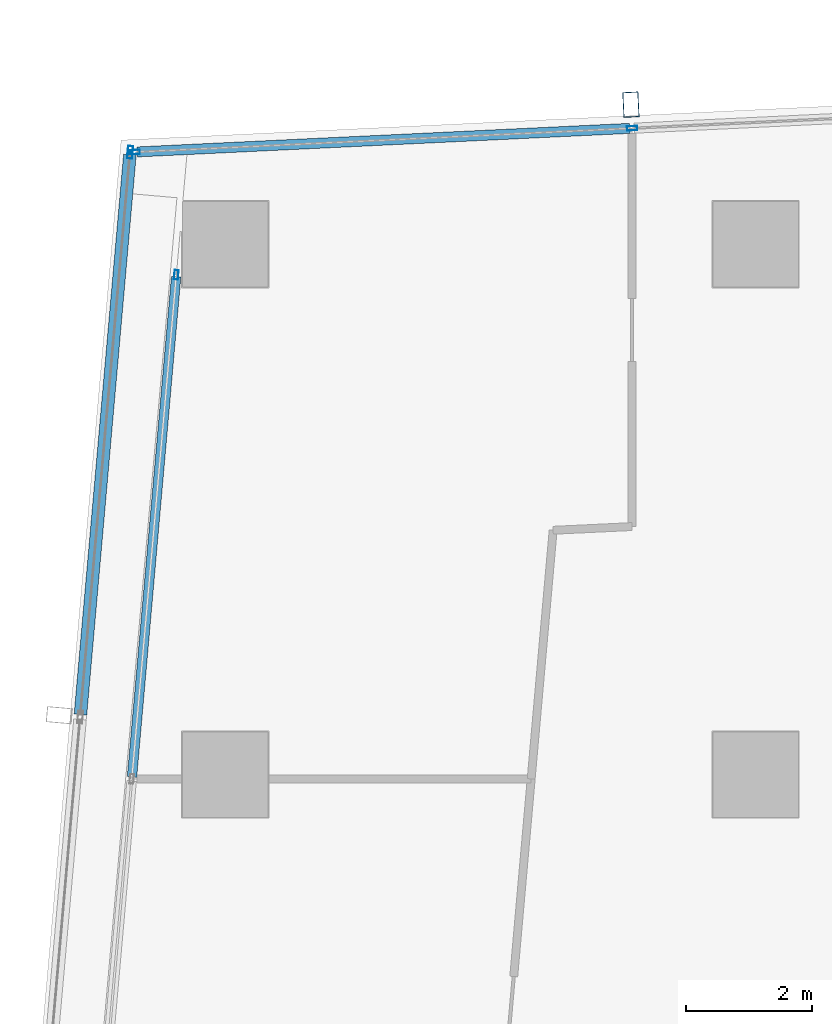
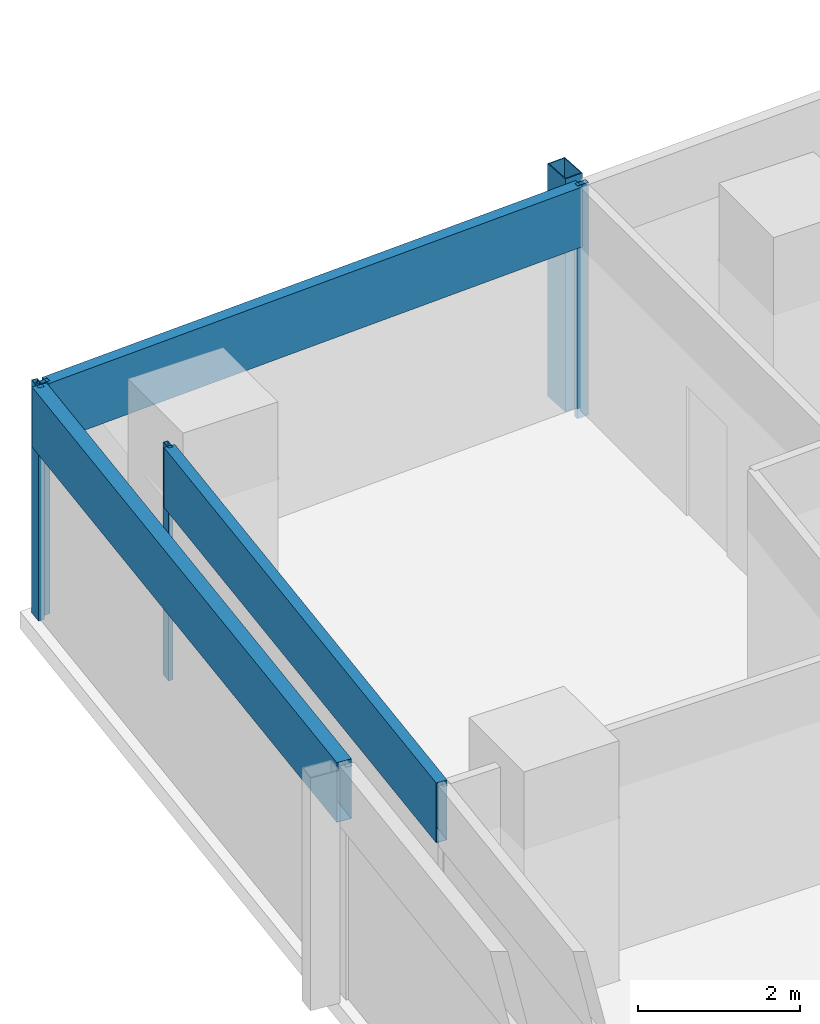
# One storey, part 17 of 39: 8 members, 3 elements without a shape of their own.
"""IFC4 building model written with IfcOpenShell, lengths in metres."""

from ifc_helpers import new_model, si_unit, direction, frame, origin, origin_2d, place, context, subcontext, project, spatial, hollow_rectangle, extrude, material, material_profile, profile_set, type_object, element, aggregate, save


model = new_model("IFC4")

# Units and contexts
model_context = context("Model", 3, precision=1e-05, world=origin(), true_north=direction((0.0, 1.0)))
body_context = subcontext(model_context, "Body", "Model", "MODEL_VIEW")
ifc_project = project(units=[si_unit("LENGTHUNIT", "METRE"), si_unit("AREAUNIT", "SQUARE_METRE"), si_unit("VOLUMEUNIT", "CUBIC_METRE"), si_unit("PLANEANGLEUNIT", "RADIAN"), si_unit("MASSUNIT", "GRAM", prefix="KILO")], contexts=[model_context])

# Site, building, storey
site_placement = place(None, origin())
site = spatial("IfcSite", under=ifc_project, at=site_placement, CompositionType="ELEMENT")
building_placement = place(site_placement, origin())
building = spatial("IfcBuilding", under=site, at=building_placement, Name="Rekha Terrace Tower", CompositionType="ELEMENT")
storey_placement = place(building_placement, frame((0.0, 0.0, 217.699951171875)))
storey = spatial("IfcBuildingStorey", under=building, at=storey_placement, Name="L55", CompositionType="ELEMENT", Elevation=217.699951171875)

# Curtain wall, member
ifc_material_1 = material(Name="Aluminium framing", Category="aluminium")
curtain_wall_type_1 = type_object("IfcCurtainWallType", Name="CW3 north unitised glazing", PredefinedType="USERDEFINED", material=ifc_material_1)
curtain_wall_1_placement = place(storey_placement, origin())
curtain_wall_1 = element("IfcCurtainWall", 1, at=curtain_wall_1_placement, inside=storey, type_object=curtain_wall_type_1, Name="CW3 unitised curtain wall", ObjectType="UNITISED CURTAIN WALL", PredefinedType="USERDEFINED")
ifc_material_2 = material(Name="Steel S355 with fluorocarbon finish", Category="steel")
ifc_material_profile_1 = material_profile(ifc_material_2, hollow_rectangle(XDim=0.25, YDim=0.39990234375, WallThickness=0.012451171875, at=origin_2d()), Name="RHS400x250x12.5")
ifc_profile_set_1 = profile_set([ifc_material_profile_1], Name="Steel S355 with fluorocarbon finish")
member_type_1 = type_object("IfcMemberType", Name="BL1 facade blade RHS 400 x 250", PredefinedType="USERDEFINED", material=ifc_profile_set_1)
member_1_placement = place(storey_placement, frame((14.824951171875, 61.01123046875, 0.0), z_axis=(0.0, 0.0, 1.0), x_axis=(-0.998858913274, -0.04775846913, 0.0)))
member_1 = element("IfcMember", 2, at=member_1_placement, type_object=member_type_1, Name="Facade blade", ObjectType="FACADE BLADE", PredefinedType="USERDEFINED", context=body_context, shape_type="SweptSolid", body=[
    extrude(hollow_rectangle(XDim=0.25, YDim=0.39990234375, WallThickness=0.012451171875, at=origin_2d()), origin(), (0.0, 0.0, 1.0), 3.5),
])

# Curtain wall, members
curtain_wall_type_2 = type_object("IfcCurtainWallType", Name="CW1 double skin inner glazing", PredefinedType="USERDEFINED", material=ifc_material_1)
curtain_wall_2_placement = place(storey_placement, origin())
curtain_wall_2 = element("IfcCurtainWall", 3, at=curtain_wall_2_placement, inside=storey, type_object=curtain_wall_type_2, Name="CW1 double skin inner glazing", ObjectType="DOUBLE SKIN INNER GLAZING", PredefinedType="USERDEFINED")
ifc_material_3 = material(Name="Aluminium mullion section", Category="aluminium")
ifc_material_profile_2 = material_profile(ifc_material_3, hollow_rectangle(XDim=0.06494140625, YDim=0.14990234375, WallThickness=0.00390625, at=origin_2d()), Name="AL RHS 65x150")
ifc_profile_set_2 = profile_set([ifc_material_profile_2], Name="Aluminium mullion section")
member_type_2 = type_object("IfcMemberType", Name="CW1 mullion RHS 65 x 150", PredefinedType="MULLION", material=ifc_profile_set_2)
member_2_placement = place(storey_placement, frame((7.625732421875, 58.316650390625, 0.0), z_axis=(0.0, 0.0, 1.0), x_axis=(0.996124185422, -0.087957985523, 0.0)))
member_2 = element("IfcMember", 4, at=member_2_placement, type_object=member_type_2, Name="CW1 mullion 1", PredefinedType="MULLION", context=body_context, shape_type="SweptSolid", body=[
    extrude(hollow_rectangle(XDim=0.06494140625, YDim=0.14990234375, WallThickness=0.00390625, at=origin_2d()), origin(), (0.0, 0.0, 1.0), 3.5),
])
ifc_material_4 = material(Name="Insulated aluminium spandrel box", Category="aluminium")
ifc_material_profile_3 = material_profile(ifc_material_4, hollow_rectangle(XDim=0.14990234375, YDim=0.89990234375, WallThickness=0.0029296875, at=origin_2d()), Name="AL SPANDREL BOX 150x900")
ifc_profile_set_3 = profile_set([ifc_material_profile_3], Name="Insulated aluminium spandrel box")
member_type_3 = type_object("IfcMemberType", Name="CW1 spandrel transom 150 x 900", PredefinedType="USERDEFINED", material=ifc_profile_set_3)
member_3_placement = place(storey_placement, frame((7.622802734375, 58.2841796875, 3.050048828125), z_axis=(-0.087941305291, -0.996125658149, 0.0), x_axis=(0.996125658149, -0.087941305291, 0.0)))
member_3 = element("IfcMember", 5, at=member_3_placement, type_object=member_type_3, Name="CW1 spandrel transom 1", ObjectType="TRANSOM", PredefinedType="USERDEFINED", context=body_context, shape_type="SweptSolid", body=[
    extrude(hollow_rectangle(XDim=0.14990234375, YDim=0.89990234375, WallThickness=0.0029296875, at=origin_2d()), origin(), (0.0, 0.0, 1.0), 7.950927734375),
])
aggregate(curtain_wall_2, [member_2, member_3])

curtain_wall_type_3 = type_object("IfcCurtainWallType", Name="CW2 double skin outer glazing", PredefinedType="USERDEFINED", material=ifc_material_1)
curtain_wall_3_placement = place(storey_placement, origin())
curtain_wall_3 = element("IfcCurtainWall", 6, at=curtain_wall_3_placement, inside=storey, type_object=curtain_wall_type_3, Name="CW2 double skin outer glazing", ObjectType="DOUBLE SKIN OUTER GLAZING", PredefinedType="USERDEFINED")
ifc_material_profile_4 = material_profile(ifc_material_3, hollow_rectangle(XDim=0.080078125, YDim=0.199951171875, WallThickness=0.00390625, at=origin_2d()), Name="AL RHS 80x200")
ifc_profile_set_4 = profile_set([ifc_material_profile_4], Name="Aluminium mullion section")
member_type_4 = type_object("IfcMemberType", Name="CW2 mullion RHS 80 x 200", PredefinedType="MULLION", material=ifc_profile_set_4)
member_4_placement = place(storey_placement, frame((6.8935546875, 60.257080078125, 0.0), z_axis=(0.0, 0.0, 1.0), x_axis=(0.996124185428, -0.087957985453, 0.0)))
member_4 = element("IfcMember", 7, at=member_4_placement, type_object=member_type_4, Name="CW2 mullion 1", PredefinedType="MULLION", context=body_context, shape_type="SweptSolid", body=[
    extrude(hollow_rectangle(XDim=0.080078125, YDim=0.199951171875, WallThickness=0.00390625, at=origin_2d()), origin(), (0.0, 0.0, 1.0), 3.5),
])
ifc_material_profile_5 = material_profile(ifc_material_4, hollow_rectangle(XDim=0.199951171875, YDim=0.89990234375, WallThickness=0.0029296875, at=origin_2d()), Name="AL SPANDREL BOX 200x900")
ifc_profile_set_5 = profile_set([ifc_material_profile_5], Name="Insulated aluminium spandrel box")
member_type_5 = type_object("IfcMemberType", Name="CW2 spandrel transom 200 x 900", PredefinedType="USERDEFINED", material=ifc_profile_set_5)
member_5_placement = place(storey_placement, frame((6.89013671875, 60.217041015625, 3.050048828125), z_axis=(-0.08797787529, -0.996122428951, 0.0), x_axis=(0.996122428951, -0.08797787529, 0.0)))
member_5 = element("IfcMember", 8, at=member_5_placement, type_object=member_type_5, Name="CW2 spandrel transom 1", ObjectType="TRANSOM", PredefinedType="USERDEFINED", context=body_context, shape_type="SweptSolid", body=[
    extrude(hollow_rectangle(XDim=0.199951171875, YDim=0.89990234375, WallThickness=0.0029296875, at=origin_2d()), origin(), (0.0, 0.0, 1.0), 8.8994140625),
])
aggregate(curtain_wall_3, [member_4, member_5])

# Member
ifc_material_profile_6 = material_profile(ifc_material_3, hollow_rectangle(XDim=0.070068359375, YDim=0.159912109375, WallThickness=0.00390625, at=origin_2d()), Name="AL RHS 70x160")
ifc_profile_set_6 = profile_set([ifc_material_profile_6], Name="Aluminium mullion section")
member_type_6 = type_object("IfcMemberType", Name="CW3 mullion RHS 70 x 160", PredefinedType="MULLION", material=ifc_profile_set_6)
member_6_placement = place(storey_placement, frame((14.843017578125, 60.63671875, 0.0), z_axis=(0.0, 0.0, 1.0), x_axis=(0.047758616983, -0.998858906204, 0.0)))
member_6 = element("IfcMember", 9, at=member_6_placement, type_object=member_type_6, Name="CW3 mullion 5", PredefinedType="MULLION", context=body_context, shape_type="SweptSolid", body=[
    extrude(hollow_rectangle(XDim=0.070068359375, YDim=0.159912109375, WallThickness=0.00390625, at=origin_2d()), origin(), (0.0, 0.0, 1.0), 3.5),
])

member_7_placement = place(storey_placement, frame((6.96875, 60.26025390625, 0.0), z_axis=(0.0, 0.0, 1.0), x_axis=(0.047758616983, -0.998858906204, 0.0)))
member_7 = element("IfcMember", 10, at=member_7_placement, type_object=member_type_6, Name="CW3 mullion 6", PredefinedType="MULLION", context=body_context, shape_type="SweptSolid", body=[
    extrude(hollow_rectangle(XDim=0.070068359375, YDim=0.159912109375, WallThickness=0.00390625, at=origin_2d()), origin(), (0.0, 0.0, 1.0), 3.5),
])

ifc_material_profile_7 = material_profile(ifc_material_4, hollow_rectangle(XDim=0.159912109375, YDim=0.89990234375, WallThickness=0.0029296875, at=origin_2d()), Name="AL SPANDREL BOX 160x900")
ifc_profile_set_7 = profile_set([ifc_material_profile_7], Name="Insulated aluminium spandrel box")
member_type_7 = type_object("IfcMemberType", Name="CW3 spandrel transom 160 x 900", PredefinedType="USERDEFINED", material=ifc_profile_set_7)
member_8_placement = place(storey_placement, frame((14.807861328125, 60.635009765625, 3.050048828125), z_axis=(-0.998859425172, -0.047747761666, 0.0), x_axis=(0.047747761666, -0.998859425172, 0.0)))
member_8 = element("IfcMember", 11, at=member_8_placement, type_object=member_type_7, Name="CW3 spandrel transom 5", ObjectType="TRANSOM", PredefinedType="USERDEFINED", context=body_context, shape_type="SweptSolid", body=[
    extrude(hollow_rectangle(XDim=0.159912109375, YDim=0.89990234375, WallThickness=0.0029296875, at=origin_2d()), origin(), (0.0, 0.0, 1.0), 7.81298828125),
])

aggregate(curtain_wall_1, [member_6, member_7, member_8, member_1])

save(model, "model.ifc")
